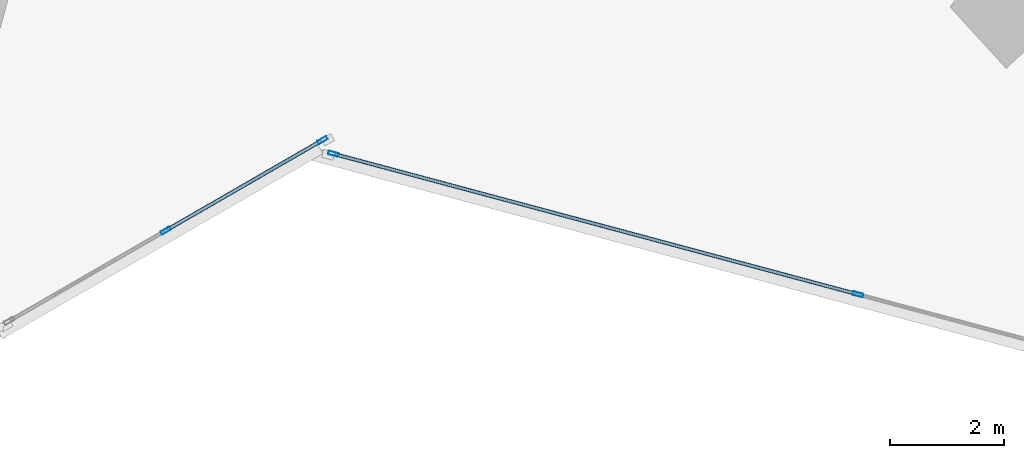
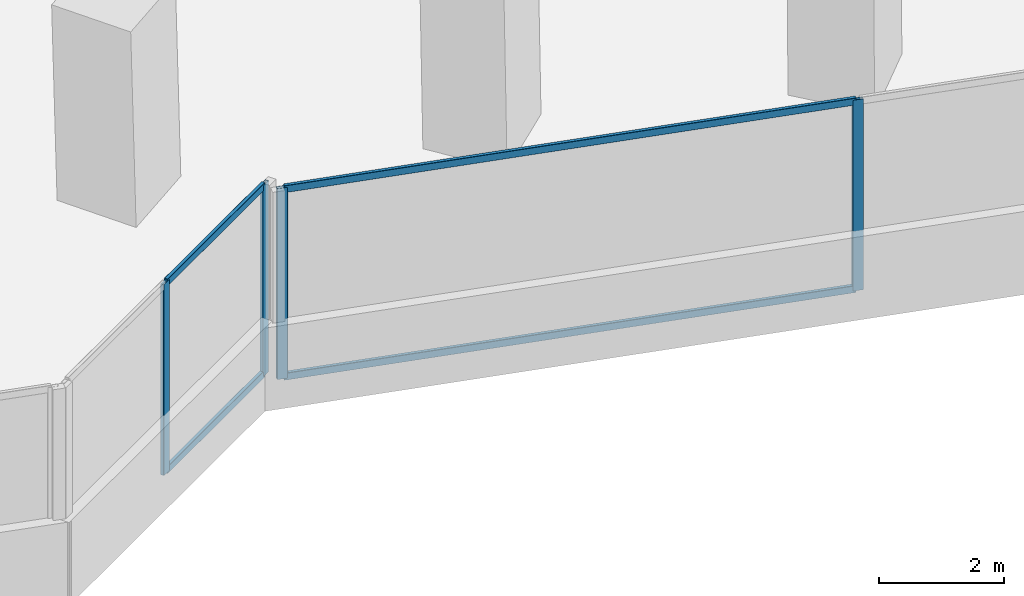
# One storey, part 7 of 26: 8 members, 2 elements without a shape of their own.
"""IFC4 building model written with IfcOpenShell, lengths in metres."""

from ifc_helpers import new_model, si_unit, direction, frame, origin, origin_2d, place, context, subcontext, project, spatial, hollow_rectangle, extrude, source, transform, mapped, material, material_profile, profile_set, type_object, element, aggregate, save


model = new_model("IFC4")

# Units and contexts
model_context = context("Model", 3, precision=1e-05, world=origin(), true_north=direction((0.0, 1.0)))
body_context = subcontext(model_context, "Body", "Model", "MODEL_VIEW")
ifc_project = project(units=[si_unit("LENGTHUNIT", "METRE"), si_unit("AREAUNIT", "SQUARE_METRE"), si_unit("VOLUMEUNIT", "CUBIC_METRE"), si_unit("PLANEANGLEUNIT", "RADIAN"), si_unit("MASSUNIT", "GRAM", prefix="KILO")], contexts=[model_context])

# Site, building, storey
site_placement = place(None, origin())
site = spatial("IfcSite", under=ifc_project, at=site_placement, CompositionType="ELEMENT")
building_placement = place(site_placement, origin())
building = spatial("IfcBuilding", under=site, at=building_placement, Name="Torre Montelarca", CompositionType="ELEMENT")
storey_placement = place(building_placement, frame((0.0, 0.0, 104.199951171875)))
storey = spatial("IfcBuildingStorey", under=building, at=storey_placement, Name="L23", CompositionType="ELEMENT", Elevation=104.199951171875)

# Curtain wall, members
ifc_material_1 = material(Name="Insulated low-E laminated glass", Category="glass")
curtain_wall_type = type_object("IfcCurtainWallType", Name="CW-SYS-Z1", PredefinedType="USERDEFINED", material=ifc_material_1)
curtain_wall_1_placement = place(storey_placement, origin())
curtain_wall_1 = element("IfcCurtainWall", 1, at=curtain_wall_1_placement, inside=storey, type_object=curtain_wall_type, Name="L23 Curtain Wall Run CW-T3-L23-E02-B1", ObjectType="UNITISED GLAZING", PredefinedType="USERDEFINED")
ifc_material_2 = material(Name="Anodised aluminium AA 6063-T6", Category="aluminium")
ifc_material_profile_1 = material_profile(ifc_material_2, hollow_rectangle(XDim=0.06494140625, YDim=0.139892578125, WallThickness=0.00390625, InnerFilletRadius=0.00390625, OuterFilletRadius=0.008056640625, at=origin_2d()), Name="ALU65X140X4", Category="aluminium")
ifc_profile_set_1 = profile_set([ifc_material_profile_1], Name="Anodised aluminium AA 6063-T6")
member_type_1 = type_object("IfcMemberType", Name="CWT-ALU140", PredefinedType="USERDEFINED", material=ifc_profile_set_1)
shared_shape_1 = source(origin(), body_context, "Body", "SweptSolid", [
    extrude(hollow_rectangle(XDim=0.06494140625, YDim=0.139892578125, WallThickness=0.00390625, InnerFilletRadius=0.00390625, OuterFilletRadius=0.008056640625, at=origin_2d()), origin(), (0.0, 0.0, 1.0), 3.102294921875),
])
member_1_placement = place(storey_placement, frame((30.196044921875, 13.41064453125, 0.032470703125), z_axis=(0.865996857859, 0.500049439734, 0.0), x_axis=(-0.500049439734, 0.865996857859, 0.0)))
member_1 = element("IfcMember", 2, at=member_1_placement, type_object=member_type_1, Name="CW transom 2.1", ObjectType="TRANSOM", PredefinedType="USERDEFINED", context=body_context, shape_type="MappedRepresentation", body=[
    mapped(shared_shape_1, transform((0.0, 0.0, 0.0), scale=1.0)),
])
member_2_placement = place(storey_placement, frame((30.196044921875, 13.41064453125, 3.6875), z_axis=(0.865996857859, 0.500049439734, 0.0), x_axis=(-0.500049439734, 0.865996857859, 0.0)))
member_2 = element("IfcMember", 3, at=member_2_placement, type_object=member_type_1, Name="CW transom 2.2", ObjectType="TRANSOM", PredefinedType="USERDEFINED", context=body_context, shape_type="MappedRepresentation", body=[
    mapped(shared_shape_1, transform((0.0, 0.0, 0.0), scale=1.0)),
])

curtain_wall_2_placement = place(storey_placement, origin())
curtain_wall_2 = element("IfcCurtainWall", 4, at=curtain_wall_2_placement, inside=storey, type_object=curtain_wall_type, Name="L23 Curtain Wall Run CW-T3-L23-E04-B1", ObjectType="UNITISED GLAZING", PredefinedType="USERDEFINED")
shared_shape_2 = source(origin(), body_context, "Body", "SweptSolid", [
    extrude(hollow_rectangle(XDim=0.06494140625, YDim=0.139892578125, WallThickness=0.00390625, InnerFilletRadius=0.00390625, OuterFilletRadius=0.008056640625, at=origin_2d()), origin(), (0.0, 0.0, 1.0), 9.448486328125),
])
member_3_placement = place(storey_placement, frame((33.1337890625, 14.73046875, 0.032470703125), z_axis=(0.965928905707, -0.258807552286, 0.0), x_axis=(0.258807552286, 0.965928905707, 0.0)))
member_3 = element("IfcMember", 5, at=member_3_placement, type_object=member_type_1, Name="CW transom 1.1", ObjectType="TRANSOM", PredefinedType="USERDEFINED", context=body_context, shape_type="MappedRepresentation", body=[
    mapped(shared_shape_2, transform((0.0, 0.0, 0.0), scale=1.0)),
])
member_4_placement = place(storey_placement, frame((33.1337890625, 14.73046875, 3.6875), z_axis=(0.965928905707, -0.258807552286, 0.0), x_axis=(0.258807552286, 0.965928905707, 0.0)))
member_4 = element("IfcMember", 6, at=member_4_placement, type_object=member_type_1, Name="CW transom 1.2", ObjectType="TRANSOM", PredefinedType="USERDEFINED", context=body_context, shape_type="MappedRepresentation", body=[
    mapped(shared_shape_2, transform((0.0, 0.0, 0.0), scale=1.0)),
])

# Member
ifc_material_profile_2 = material_profile(ifc_material_2, hollow_rectangle(XDim=0.06494140625, YDim=0.179931640625, WallThickness=0.00390625, InnerFilletRadius=0.00390625, OuterFilletRadius=0.008056640625, at=origin_2d()), Name="ALU65X180X4", Category="aluminium")
ifc_profile_set_2 = profile_set([ifc_material_profile_2], Name="Anodised aluminium AA 6063-T6")
member_type_2 = type_object("IfcMemberType", Name="CWM-ALU180", PredefinedType="MULLION", material=ifc_profile_set_2)
shared_shape_3 = source(origin(), body_context, "Body", "SweptSolid", [
    extrude(hollow_rectangle(XDim=0.06494140625, YDim=0.179931640625, WallThickness=0.00390625, InnerFilletRadius=0.00390625, OuterFilletRadius=0.008056640625, at=origin_2d()), origin(), (0.0, 0.0, 1.0), 3.719970703125),
])
member_5_placement = place(storey_placement, frame((30.167724609375, 13.394287109375, 0.0), z_axis=(0.0, 0.0, 1.0), x_axis=(-0.500001094386, 0.86602477194, 0.0)))
member_5 = element("IfcMember", 7, at=member_5_placement, type_object=member_type_2, Name="CW mullion 2", PredefinedType="MULLION", context=body_context, shape_type="MappedRepresentation", body=[
    mapped(shared_shape_3, transform((0.0, 0.0, 0.0), scale=1.0)),
])

member_6_placement = place(storey_placement, frame((32.91064453125, 14.97802734375, 0.0), z_axis=(0.0, 0.0, 1.0), x_axis=(-0.500001094386, 0.86602477194, 0.0)))
member_6 = element("IfcMember", 8, at=member_6_placement, type_object=member_type_2, Name="CW mullion 3", PredefinedType="MULLION", context=body_context, shape_type="MappedRepresentation", body=[
    mapped(shared_shape_3, transform((0.0, 0.0, 0.0), scale=1.0)),
])

aggregate(curtain_wall_1, [member_5, member_6, member_1, member_2])

member_7_placement = place(storey_placement, frame((33.102294921875, 14.739013671875, 0.0), z_axis=(0.0, 0.0, 1.0), x_axis=(0.258823354003, 0.965924671712, 0.0)))
member_7 = element("IfcMember", 9, at=member_7_placement, type_object=member_type_2, Name="CW mullion 1", PredefinedType="MULLION", context=body_context, shape_type="MappedRepresentation", body=[
    mapped(shared_shape_3, transform((0.0, 0.0, 0.0), scale=1.0)),
])

member_8_placement = place(storey_placement, frame((42.291748046875, 12.276611328125, 0.0), z_axis=(0.0, 0.0, 1.0), x_axis=(0.258823354003, 0.965924671712, 0.0)))
member_8 = element("IfcMember", 10, at=member_8_placement, type_object=member_type_2, Name="CW mullion 2", PredefinedType="MULLION", context=body_context, shape_type="MappedRepresentation", body=[
    mapped(shared_shape_3, transform((0.0, 0.0, 0.0), scale=1.0)),
])

aggregate(curtain_wall_2, [member_7, member_8, member_3, member_4])

save(model, "model.ifc")
